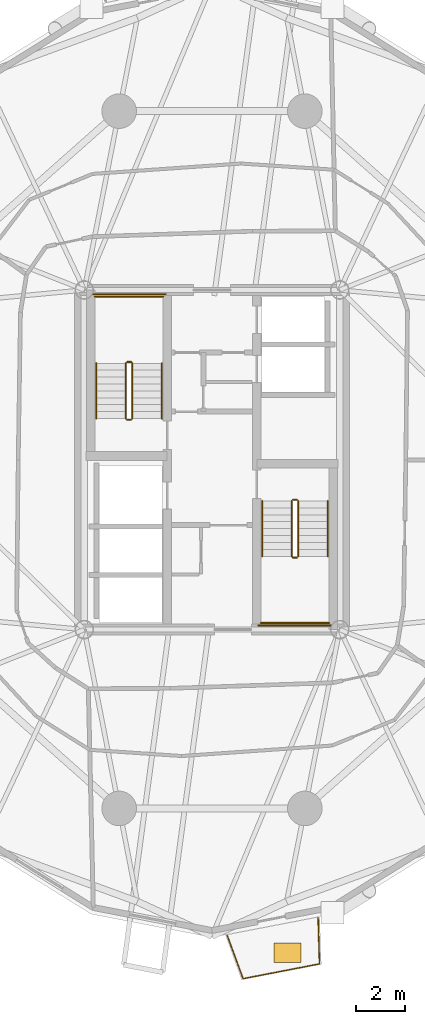
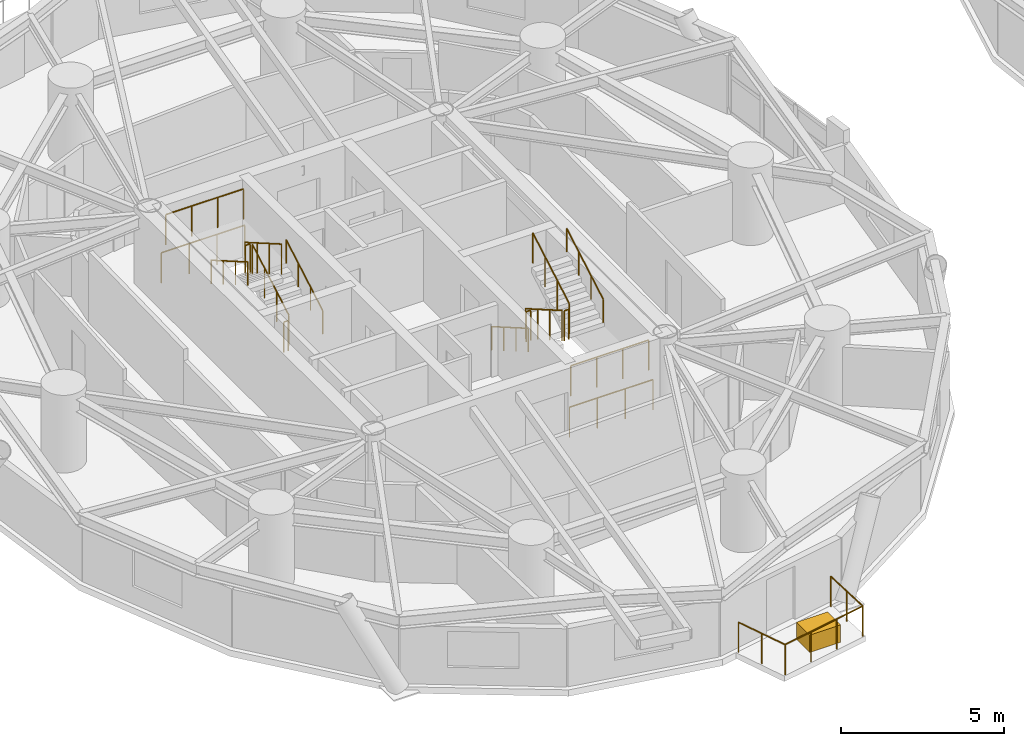
# One storey, part 16 of 18: 17 railings, 1 covering.
"""IFC4 building model written with IfcOpenShell, lengths in metres."""

from ifc_helpers import new_model, si_unit, direction, frame, origin, origin_2d, place, context, subcontext, project, spatial, rectangle, circle, extrude, source, transform, mapped, material, layer, layer_set, type_object, element, save


model = new_model("IFC4")

# Units and contexts
model_context = context("Model", 3, precision=1e-05, world=origin(), true_north=direction((0.0, 1.0)))
body_context = subcontext(model_context, "Body", "Model", "MODEL_VIEW")
ifc_project = project(units=[si_unit("LENGTHUNIT", "METRE"), si_unit("AREAUNIT", "SQUARE_METRE"), si_unit("VOLUMEUNIT", "CUBIC_METRE"), si_unit("PLANEANGLEUNIT", "RADIAN"), si_unit("MASSUNIT", "GRAM", prefix="KILO")], contexts=[model_context])

# Site, building, storey
site_placement = place(None, origin())
site = spatial("IfcSite", under=ifc_project, at=site_placement, CompositionType="ELEMENT")
building_placement = place(site_placement, origin())
building = spatial("IfcBuilding", under=site, at=building_placement, Name="Cununo Teusaquillo Station Towers", CompositionType="ELEMENT")
storey_placement = place(building_placement, frame((0.0, 0.0, 93.429931640625)))
storey = spatial("IfcBuildingStorey", under=building, at=storey_placement, Name="L29", CompositionType="ELEMENT", Elevation=93.429931640625)

# Railings
ifc_material_1 = material(Name="Anodised dark bronze aluminium EN AW-6063-T6", Category="aluminium")
railing_type_1 = type_object("IfcRailingType", Name="RL-EXT-GUARD", PredefinedType="GUARDRAIL", material=ifc_material_1)
railing_1_placement = place(storey_placement, frame((20.79833984375, 5.939453125, 0.0)))
element("IfcRailing", 1, at=railing_1_placement, inside=storey, type_object=railing_type_1, Name="L29 Tower A Balcony Guardrail C15", PredefinedType="GUARDRAIL", context=body_context, shape_type="SweptSolid", body=[
    extrude(circle(Radius=0.02392578125, at=origin_2d()), frame((0.0, 0.0, 1.1259765625), z_axis=(0.030662031384, -0.999529809376, 0.0), x_axis=(0.999529809376, 0.030662031384, 0.0)), (0.0, 0.0, 1.0), 1.86328125),
    extrude(circle(Radius=0.02392578125, at=origin_2d()), frame((0.05712890625, -1.8623046875, 1.1259765625), z_axis=(-0.981834317938, -0.189740275429, 0.0), x_axis=(0.189740275429, -0.981834317938, 0.0)), (0.0, 0.0, 1.0), 3.15380859375),
    extrude(circle(Radius=0.02392578125, at=origin_2d()), frame((-3.039306640625, -2.460693359375, 1.1259765625), z_axis=(-0.343962021681, 0.9389835609, 0.0), x_axis=(-0.9389835609, -0.343962021681, 0.0)), (0.0, 0.0, 1.0), 1.86328125),
    extrude(circle(Radius=0.02099609375, at=origin_2d()), origin(), (0.0, 0.0, 1.0), 1.101806640625),
    extrude(circle(Radius=0.02099609375, at=origin_2d()), frame((0.028564453125, -0.93115234375, 0.0)), (0.0, 0.0, 1.0), 1.101806640625),
    extrude(circle(Radius=0.02099609375, at=origin_2d()), frame((0.05712890625, -1.8623046875, 0.0)), (0.0, 0.0, 1.0), 1.101806640625),
    extrude(circle(Radius=0.02099609375, at=origin_2d()), frame((-0.97509765625, -2.061767578125, 0.0)), (0.0, 0.0, 1.0), 1.101806640625),
    extrude(circle(Radius=0.02099609375, at=origin_2d()), frame((-2.007080078125, -2.26123046875, 0.0)), (0.0, 0.0, 1.0), 1.101806640625),
    extrude(circle(Radius=0.02099609375, at=origin_2d()), frame((-3.039306640625, -2.460693359375, 0.0)), (0.0, 0.0, 1.0), 1.101806640625),
    extrude(circle(Radius=0.02099609375, at=origin_2d()), frame((-3.35986328125, -1.5859375, 0.0)), (0.0, 0.0, 1.0), 1.101806640625),
    extrude(circle(Radius=0.02099609375, at=origin_2d()), frame((-3.68017578125, -0.711181640625, 0.0)), (0.0, 0.0, 1.0), 1.101806640625),
])
ifc_material_2 = material(Name="Steel EN 10025-2 S355J2", Category="steel")
railing_type_2 = type_object("IfcRailingType", Name="RL-INT-GUARD", PredefinedType="GUARDRAIL", material=ifc_material_2)
railing_2_placement = place(storey_placement, frame((13.27001953125, 26.169921875, 0.16162109375)))
element("IfcRailing", 2, at=railing_2_placement, inside=storey, type_object=railing_type_2, Name="L29 ST-T1-1 stair guard 1", PredefinedType="GUARDRAIL", context=body_context, shape_type="SweptSolid", body=[
    extrude(circle(Radius=0.02392578125, at=origin_2d()), frame((0.0, 0.0, 1.1259765625), z_axis=(0.0, 0.865992244559, 0.500057429065), x_axis=(-1.0, 0.0, 0.0)), (0.0, 0.0, 1.0), 2.586669921875),
    extrude(circle(Radius=0.02099609375, at=origin_2d()), origin(), (0.0, 0.0, 1.0), 1.101806640625),
    extrude(circle(Radius=0.02099609375, at=origin_2d()), frame((0.0, 0.74658203125, 0.43115234375)), (0.0, 0.0, 1.0), 1.101806640625),
    extrude(circle(Radius=0.02099609375, at=origin_2d()), frame((0.0, 1.493408203125, 0.8623046875)), (0.0, 0.0, 1.0), 1.101806640625),
    extrude(circle(Radius=0.02099609375, at=origin_2d()), frame((0.0, 2.239990234375, 1.29345703125)), (0.0, 0.0, 1.0), 1.101806640625),
])
railing_3_placement = place(storey_placement, frame((13.219970703125, 28.4599609375, 1.455078125)))
element("IfcRailing", 3, at=railing_3_placement, inside=storey, type_object=railing_type_2, Name="L29 ST-T1-1 stair guard 2", PredefinedType="GUARDRAIL", context=body_context, shape_type="SweptSolid", body=[
    extrude(circle(Radius=0.02392578125, at=origin_2d()), frame((0.0, 0.0, 1.1259765625), z_axis=(-1.0, 0.0, 0.0), x_axis=(0.0, -1.0, 0.0)), (0.0, 0.0, 1.0), 0.159912109375),
    extrude(circle(Radius=0.02099609375, at=origin_2d()), origin(), (0.0, 0.0, 1.0), 1.101806640625),
    extrude(circle(Radius=0.02099609375, at=origin_2d()), frame((-0.159912109375, 0.0, 0.0)), (0.0, 0.0, 1.0), 1.101806640625),
])
railing_4_placement = place(storey_placement, frame((14.52001953125, 31.110107421875, 1.455078125)))
element("IfcRailing", 4, at=railing_4_placement, inside=storey, type_object=railing_type_2, Name="L29 ST-T1-1 stair guard 3", PredefinedType="GUARDRAIL", context=body_context, shape_type="SweptSolid", body=[
    extrude(circle(Radius=0.02392578125, at=origin_2d()), frame((0.0, 0.0, 1.1259765625), z_axis=(-1.0, 0.0, 0.0), x_axis=(0.0, -1.0, 0.0)), (0.0, 0.0, 1.0), 2.760009765625),
    extrude(circle(Radius=0.02099609375, at=origin_2d()), origin(), (0.0, 0.0, 1.0), 1.101806640625),
    extrude(circle(Radius=0.02099609375, at=origin_2d()), frame((-0.919921875, 0.0, 0.0)), (0.0, 0.0, 1.0), 1.101806640625),
    extrude(circle(Radius=0.02099609375, at=origin_2d()), frame((-1.840087890625, 0.0, 0.0)), (0.0, 0.0, 1.0), 1.101806640625),
    extrude(circle(Radius=0.02099609375, at=origin_2d()), frame((-2.760009765625, 0.0, 0.0)), (0.0, 0.0, 1.0), 1.101806640625),
])
railing_5_placement = place(storey_placement, frame((13.010009765625, 28.409912109375, 1.61669921875)))
element("IfcRailing", 5, at=railing_5_placement, inside=storey, type_object=railing_type_2, Name="L29 ST-T1-1 stair guard 4", PredefinedType="GUARDRAIL", context=body_context, shape_type="SweptSolid", body=[
    extrude(circle(Radius=0.02392578125, at=origin_2d()), frame((0.0, 0.0, 1.1259765625), z_axis=(0.0, -0.865992244559, 0.500057429065), x_axis=(1.0, 0.0, 0.0)), (0.0, 0.0, 1.0), 2.586669921875),
    extrude(circle(Radius=0.02099609375, at=origin_2d()), origin(), (0.0, 0.0, 1.0), 1.101806640625),
    extrude(circle(Radius=0.02099609375, at=origin_2d()), frame((0.0, -0.74658203125, 0.43115234375)), (0.0, 0.0, 1.0), 1.101806640625),
    extrude(circle(Radius=0.02099609375, at=origin_2d()), frame((0.0, -1.493408203125, 0.8623046875)), (0.0, 0.0, 1.0), 1.101806640625),
    extrude(circle(Radius=0.02099609375, at=origin_2d()), frame((0.0, -2.239990234375, 1.29345703125)), (0.0, 0.0, 1.0), 1.101806640625),
])
railing_6_placement = place(storey_placement, frame((13.219970703125, 26.1201171875, 0.0)))
element("IfcRailing", 6, at=railing_6_placement, inside=storey, type_object=railing_type_2, Name="L29 ST-T1-1 stair guard 5", PredefinedType="GUARDRAIL", context=body_context, shape_type="SweptSolid", body=[
    extrude(circle(Radius=0.02392578125, at=origin_2d()), frame((0.0, 0.0, 1.1259765625), z_axis=(-1.0, 0.0, 0.0), x_axis=(0.0, -1.0, 0.0)), (0.0, 0.0, 1.0), 0.159912109375),
    extrude(circle(Radius=0.02099609375, at=origin_2d()), origin(), (0.0, 0.0, 1.0), 1.101806640625),
    extrude(circle(Radius=0.02099609375, at=origin_2d()), frame((-0.159912109375, 0.0, 0.0)), (0.0, 0.0, 1.0), 1.101806640625),
])
railing_7_placement = place(storey_placement, frame((14.6201171875, 31.2099609375, 0.0)))
element("IfcRailing", 7, at=railing_7_placement, inside=storey, type_object=railing_type_2, Name="L29 ST-T1-1 stair guard 6", PredefinedType="GUARDRAIL", context=body_context, shape_type="SweptSolid", body=[
    extrude(circle(Radius=0.02392578125, at=origin_2d()), frame((0.0, 0.0, 1.1259765625), z_axis=(-1.0, 0.0, 0.0), x_axis=(0.0, -1.0, 0.0)), (0.0, 0.0, 1.0), 2.960205078125),
    extrude(circle(Radius=0.02099609375, at=origin_2d()), origin(), (0.0, 0.0, 1.0), 1.101806640625),
    extrude(circle(Radius=0.02099609375, at=origin_2d()), frame((-0.98681640625, 0.0, 0.0)), (0.0, 0.0, 1.0), 1.101806640625),
    extrude(circle(Radius=0.02099609375, at=origin_2d()), frame((-1.973388671875, 0.0, 0.0)), (0.0, 0.0, 1.0), 1.101806640625),
    extrude(circle(Radius=0.02099609375, at=origin_2d()), frame((-2.960205078125, 0.0, 0.0)), (0.0, 0.0, 1.0), 1.101806640625),
])
railing_8_placement = place(storey_placement, frame((19.72998046875, 22.830078125, 0.16162109375)))
element("IfcRailing", 8, at=railing_8_placement, inside=storey, type_object=railing_type_2, Name="L29 ST-T1-2 stair guard 1", PredefinedType="GUARDRAIL", context=body_context, shape_type="SweptSolid", body=[
    extrude(circle(Radius=0.02392578125, at=origin_2d()), frame((0.0, 0.0, 1.1259765625), z_axis=(0.0, -0.865992244559, 0.500057429065), x_axis=(1.0, 0.0, 0.0)), (0.0, 0.0, 1.0), 2.586669921875),
    extrude(circle(Radius=0.02099609375, at=origin_2d()), origin(), (0.0, 0.0, 1.0), 1.101806640625),
    extrude(circle(Radius=0.02099609375, at=origin_2d()), frame((0.0, -0.74658203125, 0.43115234375)), (0.0, 0.0, 1.0), 1.101806640625),
    extrude(circle(Radius=0.02099609375, at=origin_2d()), frame((0.0, -1.493408203125, 0.8623046875)), (0.0, 0.0, 1.0), 1.101806640625),
    extrude(circle(Radius=0.02099609375, at=origin_2d()), frame((0.0, -2.239990234375, 1.29345703125)), (0.0, 0.0, 1.0), 1.101806640625),
])
railing_9_placement = place(storey_placement, frame((19.780029296875, 20.5400390625, 1.455078125)))
element("IfcRailing", 9, at=railing_9_placement, inside=storey, type_object=railing_type_2, Name="L29 ST-T1-2 stair guard 2", PredefinedType="GUARDRAIL", context=body_context, shape_type="SweptSolid", body=[
    extrude(circle(Radius=0.02392578125, at=origin_2d()), frame((0.0, 0.0, 1.1259765625), z_axis=(1.0, 0.0, 0.0), x_axis=(0.0, 1.0, 0.0)), (0.0, 0.0, 1.0), 0.159912109375),
    extrude(circle(Radius=0.02099609375, at=origin_2d()), origin(), (0.0, 0.0, 1.0), 1.101806640625),
    extrude(circle(Radius=0.02099609375, at=origin_2d()), frame((0.159912109375, 0.0, 0.0)), (0.0, 0.0, 1.0), 1.101806640625),
])
railing_10_placement = place(storey_placement, frame((18.47998046875, 17.889892578125, 1.455078125)))
element("IfcRailing", 10, at=railing_10_placement, inside=storey, type_object=railing_type_2, Name="L29 ST-T1-2 stair guard 3", PredefinedType="GUARDRAIL", context=body_context, shape_type="SweptSolid", body=[
    extrude(circle(Radius=0.02392578125, at=origin_2d()), frame((0.0, 0.0, 1.1259765625), z_axis=(1.0, 0.0, 0.0), x_axis=(0.0, 1.0, 0.0)), (0.0, 0.0, 1.0), 2.760009765625),
    extrude(circle(Radius=0.02099609375, at=origin_2d()), origin(), (0.0, 0.0, 1.0), 1.101806640625),
    extrude(circle(Radius=0.02099609375, at=origin_2d()), frame((0.919921875, 0.0, 0.0)), (0.0, 0.0, 1.0), 1.101806640625),
    extrude(circle(Radius=0.02099609375, at=origin_2d()), frame((1.840087890625, 0.0, 0.0)), (0.0, 0.0, 1.0), 1.101806640625),
    extrude(circle(Radius=0.02099609375, at=origin_2d()), frame((2.760009765625, 0.0, 0.0)), (0.0, 0.0, 1.0), 1.101806640625),
])
railing_11_placement = place(storey_placement, frame((19.989990234375, 20.590087890625, 1.61669921875)))
element("IfcRailing", 11, at=railing_11_placement, inside=storey, type_object=railing_type_2, Name="L29 ST-T1-2 stair guard 4", PredefinedType="GUARDRAIL", context=body_context, shape_type="SweptSolid", body=[
    extrude(circle(Radius=0.02392578125, at=origin_2d()), frame((0.0, 0.0, 1.1259765625), z_axis=(0.0, 0.865992244559, 0.500057429065), x_axis=(-1.0, 0.0, 0.0)), (0.0, 0.0, 1.0), 2.586669921875),
    extrude(circle(Radius=0.02099609375, at=origin_2d()), origin(), (0.0, 0.0, 1.0), 1.101806640625),
    extrude(circle(Radius=0.02099609375, at=origin_2d()), frame((0.0, 0.74658203125, 0.43115234375)), (0.0, 0.0, 1.0), 1.101806640625),
    extrude(circle(Radius=0.02099609375, at=origin_2d()), frame((0.0, 1.493408203125, 0.8623046875)), (0.0, 0.0, 1.0), 1.101806640625),
    extrude(circle(Radius=0.02099609375, at=origin_2d()), frame((0.0, 2.239990234375, 1.29345703125)), (0.0, 0.0, 1.0), 1.101806640625),
])
railing_12_placement = place(storey_placement, frame((19.780029296875, 22.8798828125, 0.0)))
element("IfcRailing", 12, at=railing_12_placement, inside=storey, type_object=railing_type_2, Name="L29 ST-T1-2 stair guard 5", PredefinedType="GUARDRAIL", context=body_context, shape_type="SweptSolid", body=[
    extrude(circle(Radius=0.02392578125, at=origin_2d()), frame((0.0, 0.0, 1.1259765625), z_axis=(1.0, 0.0, 0.0), x_axis=(0.0, 1.0, 0.0)), (0.0, 0.0, 1.0), 0.159912109375),
    extrude(circle(Radius=0.02099609375, at=origin_2d()), origin(), (0.0, 0.0, 1.0), 1.101806640625),
    extrude(circle(Radius=0.02099609375, at=origin_2d()), frame((0.159912109375, 0.0, 0.0)), (0.0, 0.0, 1.0), 1.101806640625),
])
railing_13_placement = place(storey_placement, frame((18.3798828125, 17.7900390625, 0.0)))
element("IfcRailing", 13, at=railing_13_placement, inside=storey, type_object=railing_type_2, Name="L29 ST-T1-2 stair guard 6", PredefinedType="GUARDRAIL", context=body_context, shape_type="SweptSolid", body=[
    extrude(circle(Radius=0.02392578125, at=origin_2d()), frame((0.0, 0.0, 1.1259765625), z_axis=(1.0, 0.0, 0.0), x_axis=(0.0, 1.0, 0.0)), (0.0, 0.0, 1.0), 2.960205078125),
    extrude(circle(Radius=0.02099609375, at=origin_2d()), origin(), (0.0, 0.0, 1.0), 1.101806640625),
    extrude(circle(Radius=0.02099609375, at=origin_2d()), frame((0.98681640625, 0.0, 0.0)), (0.0, 0.0, 1.0), 1.101806640625),
    extrude(circle(Radius=0.02099609375, at=origin_2d()), frame((1.973388671875, 0.0, 0.0)), (0.0, 0.0, 1.0), 1.101806640625),
    extrude(circle(Radius=0.02099609375, at=origin_2d()), frame((2.960205078125, 0.0, 0.0)), (0.0, 0.0, 1.0), 1.101806640625),
])
ifc_material_3 = material(Name="Steel EN 10025-2 S355J2", Category="steel")
railing_type_3 = type_object("IfcRailingType", Name="RL-INT-HRAIL", PredefinedType="HANDRAIL", material=ifc_material_3)
railing_14_placement = place(storey_placement, frame((14.469970703125, 26.169921875, 0.16162109375)))
element("IfcRailing", 14, at=railing_14_placement, inside=storey, type_object=railing_type_3, Name="L29 ST-T1-1 stair handrail 1", PredefinedType="HANDRAIL", context=body_context, shape_type="SweptSolid", body=[
    extrude(circle(Radius=0.02392578125, at=origin_2d()), frame((0.0, 0.0, 0.8759765625), z_axis=(0.0, 0.865992244559, 0.500057429065), x_axis=(-1.0, 0.0, 0.0)), (0.0, 0.0, 1.0), 2.586669921875),
    extrude(circle(Radius=0.02099609375, at=origin_2d()), origin(), (0.0, 0.0, 1.0), 0.851806640625),
    extrude(circle(Radius=0.02099609375, at=origin_2d()), frame((0.0, 0.74658203125, 0.43115234375)), (0.0, 0.0, 1.0), 0.851806640625),
    extrude(circle(Radius=0.02099609375, at=origin_2d()), frame((0.0, 1.493408203125, 0.8623046875)), (0.0, 0.0, 1.0), 0.851806640625),
    extrude(circle(Radius=0.02099609375, at=origin_2d()), frame((0.0, 2.239990234375, 1.29345703125)), (0.0, 0.0, 1.0), 0.851806640625),
])
for number, where, name in (
    (15, (11.81005859375, 28.409912109375, 1.61669921875), "L29 ST-T1-1 stair handrail 2"),
    (16, (18.530029296875, 22.830078125, 0.16162109375), "L29 ST-T1-2 stair handrail 1"),
):
    element("IfcRailing", number, at=place(storey_placement, frame(where)), inside=storey, type_object=railing_type_3, Name=name, PredefinedType="HANDRAIL", context=body_context, shape_type="SweptSolid", body=[
        extrude(circle(Radius=0.02392578125, at=origin_2d()), frame((0.0, 0.0, 0.8759765625), z_axis=(0.0, -0.865992244559, 0.500057429065), x_axis=(1.0, 0.0, 0.0)), (0.0, 0.0, 1.0), 2.586669921875),
        extrude(circle(Radius=0.02099609375, at=origin_2d()), origin(), (0.0, 0.0, 1.0), 0.851806640625),
        extrude(circle(Radius=0.02099609375, at=origin_2d()), frame((0.0, -0.74658203125, 0.43115234375)), (0.0, 0.0, 1.0), 0.851806640625),
        extrude(circle(Radius=0.02099609375, at=origin_2d()), frame((0.0, -1.493408203125, 0.8623046875)), (0.0, 0.0, 1.0), 0.851806640625),
        extrude(circle(Radius=0.02099609375, at=origin_2d()), frame((0.0, -2.239990234375, 1.29345703125)), (0.0, 0.0, 1.0), 0.851806640625),
    ])
railing_15_placement = place(storey_placement, frame((21.18994140625, 20.590087890625, 1.61669921875)))
element("IfcRailing", 17, at=railing_15_placement, inside=storey, type_object=railing_type_3, Name="L29 ST-T1-2 stair handrail 2", PredefinedType="HANDRAIL", context=body_context, shape_type="SweptSolid", body=[
    extrude(circle(Radius=0.02392578125, at=origin_2d()), frame((0.0, 0.0, 0.8759765625), z_axis=(0.0, 0.865992244559, 0.500057429065), x_axis=(-1.0, 0.0, 0.0)), (0.0, 0.0, 1.0), 2.586669921875),
    extrude(circle(Radius=0.02099609375, at=origin_2d()), origin(), (0.0, 0.0, 1.0), 0.851806640625),
    extrude(circle(Radius=0.02099609375, at=origin_2d()), frame((0.0, 0.74658203125, 0.43115234375)), (0.0, 0.0, 1.0), 0.851806640625),
    extrude(circle(Radius=0.02099609375, at=origin_2d()), frame((0.0, 1.493408203125, 0.8623046875)), (0.0, 0.0, 1.0), 0.851806640625),
    extrude(circle(Radius=0.02099609375, at=origin_2d()), frame((0.0, 2.239990234375, 1.29345703125)), (0.0, 0.0, 1.0), 0.851806640625),
])

# Covering
ifc_material_4 = material(Name="Architectural GRC planter shell and engineered root-zone substrate", Category="concrete")
ifc_layer = layer(ifc_material_4, 0.64990234375)
ifc_layer_set = layer_set([ifc_layer], Name="Architectural GRC planter shell and engineered root-zone substrate")
covering_type = type_object("IfcCoveringType", Name="COV-TREE-PLANTER", PredefinedType="CLADDING", material=ifc_layer_set)
shared_shape = source(origin(), body_context, "Body", "SweptSolid", [
    extrude(rectangle(XDim=1.10009765625, YDim=0.800048828125, at=origin_2d()), origin(), (0.0, 0.0, 1.0), 0.64990234375),
])
covering_placement = place(storey_placement, frame((19.5537109375, 4.531494140625, 0.0), z_axis=(0.0, 0.0, 1.0), x_axis=(1.0, 0.0, 0.0)))
element("IfcCovering", 18, at=covering_placement, inside=storey, type_object=covering_type, Name="L29 Tower A Balcony Tree PLANTER C15", PredefinedType="CLADDING", context=body_context, shape_type="MappedRepresentation", body=[
    mapped(shared_shape, transform((0.0, 0.0, 0.0), x_axis=(1.0, 0.0, 0.0), y_axis=(0.0, 1.0, 0.0), z_axis=(0.0, 0.0, 1.0), scale=1.0)),
])

save(model, "model.ifc")
